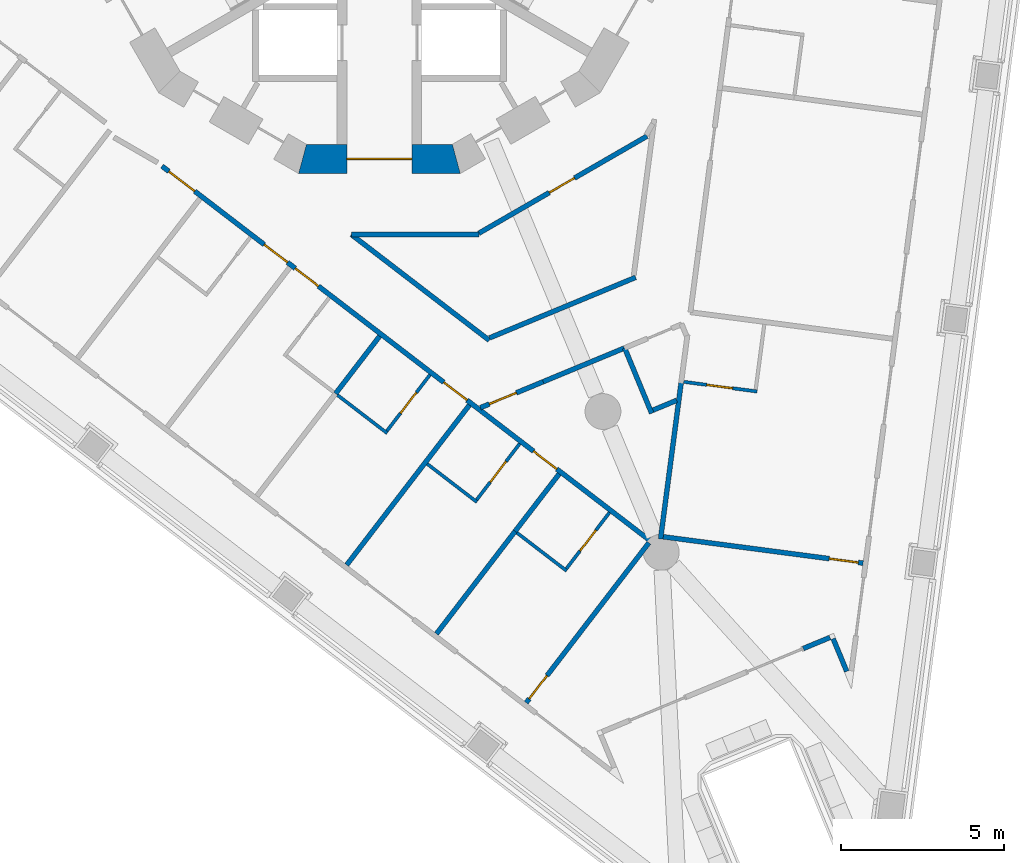
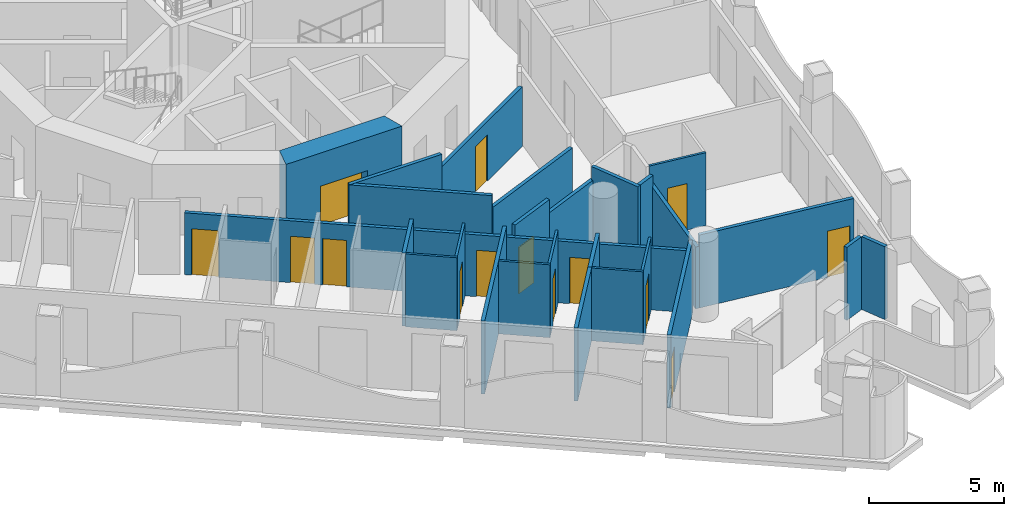
# One storey, part 4 of 18: 26 walls, 14 doors, 14 openings.
"""IFC4 building model written with IfcOpenShell, lengths in metres."""

from ifc_helpers import new_model, si_unit, direction, frame, frame_2d, origin, place, context, subcontext, project, spatial, polyline, rectangle, outline, extrude, material, layer, layer_set, type_object, element, fill, save


model = new_model("IFC4")

# Units and contexts
model_context = context("Model", 3, precision=1e-05, world=origin(), true_north=direction((0.0, 1.0)))
body_context = subcontext(model_context, "Body", "Model", "MODEL_VIEW")
ifc_project = project(units=[si_unit("LENGTHUNIT", "METRE"), si_unit("AREAUNIT", "SQUARE_METRE"), si_unit("VOLUMEUNIT", "CUBIC_METRE"), si_unit("PLANEANGLEUNIT", "RADIAN"), si_unit("MASSUNIT", "GRAM", prefix="KILO")], contexts=[model_context])

# Site, building, storey
site_placement = place(None, origin())
site = spatial("IfcSite", under=ifc_project, at=site_placement, CompositionType="ELEMENT")
building_placement = place(site_placement, origin())
building = spatial("IfcBuilding", under=site, at=building_placement, Name="Trine Commons Tower", CompositionType="ELEMENT")
storey_placement = place(building_placement, frame((0.0, 0.0, 145.800048828125)))
storey = spatial("IfcBuildingStorey", under=building, at=storey_placement, Name="L37", CompositionType="ELEMENT", Elevation=145.800048828125)

# Walls
ifc_material_1 = material(Name="Aluminium-framed insulated wall panel", Category="aluminium")
ifc_layer_1 = layer(ifc_material_1, 0.14990234375)
ifc_layer_set_1 = layer_set([ifc_layer_1], Name="Aluminium-framed insulated wall panel")
wall_type_1 = type_object("IfcWallType", Name="Glazed frame wall 150, EI 60", PredefinedType="SOLIDWALL", material=ifc_layer_set_1)
wall_1_placement = place(storey_placement, frame((94.42041015625, 37.78564453125, 0.0), z_axis=(0.0, 0.0, 1.0), x_axis=(-0.382629665579, 0.923901801611, 0.0)))
element("IfcWall", 1, at=wall_1_placement, inside=storey, type_object=wall_type_1, Name="Glazed frame wall R9", PredefinedType="SOLIDWALL", context=body_context, shape_type="SweptSolid", body=[
    extrude(outline(polyline([(0.1494140625, 0.074951171875), (0.1494140625, -0.074951171875), (1.235107421875, -0.074951171875), (1.235107421875, 0.074951171875), (0.1494140625, 0.074951171875)])), origin(), (0.0, 0.0, 1.0), 3.300048828125),
])
wall_2_placement = place(storey_placement, frame((93.951416015625, 39.009521484375, 0.0), z_axis=(0.0, 0.0, 1.0), x_axis=(-0.923826362943, -0.382811769845, 0.0)))
element("IfcWall", 2, at=wall_2_placement, inside=storey, type_object=wall_type_1, Name="Glazed frame wall P3.1", PredefinedType="SOLIDWALL", context=body_context, shape_type="SweptSolid", body=[
    extrude(outline(polyline([(0.110107421875, -0.074951171875), (1.0, -0.074951171875), (1.0, 0.074951171875), (0.110107421875, 0.074951171875), (0.110107421875, -0.074951171875)])), origin(), (0.0, 0.0, 1.0), 3.300048828125),
])

# Wall, opening, door
ifc_material_2 = material(Name="Concrete C70/85", Category="concrete")
ifc_layer_2 = layer(ifc_material_2, 0.89990234375)
ifc_layer_set_2 = layer_set([ifc_layer_2], Name="Concrete C70/85")
wall_type_2 = type_object("IfcWallType", Name="RC shear wall 900 mm, C70/85", PredefinedType="SHEAR", material=ifc_layer_set_2)
wall_3_placement = place(storey_placement, frame((77.515380859375, 53.677001953125, 0.0), z_axis=(0.0, 0.0, 1.0), x_axis=(1.0, 0.0, 0.0)))
wall_3 = element("IfcWall", 3, at=wall_3_placement, inside=storey, type_object=wall_type_2, Name="Core wall CWD-10 L37", PredefinedType="SHEAR", context=body_context, shape_type="SweptSolid", body=[
    extrude(outline(polyline([(0.0, -0.449951171875), (4.969482421875, -0.449951171875), (4.728271484375, 0.449951171875), (0.2412109375, 0.449951171875), (0.0, -0.449951171875)])), origin(), (0.0, 0.0, 1.0), 3.599853515625),
])
opening_1_placement = place(wall_3_placement, frame((1.484619140625, 0.0, 0.0)))
opening_1 = element("IfcOpeningElement", 4, at=opening_1_placement, cuts=wall_3, Name="Opening K12.08", PredefinedType="OPENING", context=body_context, shape_type="SweptSolid", body=[
    extrude(rectangle(XDim=2.0, YDim=2.10009765625, at=frame_2d((1.0, 1.050048828125))), frame((0.0, 0.4599609375, 0.0), z_axis=(0.0, -1.0, 0.0), x_axis=(1.0, 0.0, 0.0)), (0.0, 0.0, 1.0), 0.919921875),
])
ifc_material_3 = material(Name="Steel door leaves, fire-rated", Category="steel")
door_type_1 = type_object("IfcDoorType", Name="Lobby door, double leaf 2000 x 2100, FD60", OperationType="DOUBLE_DOOR_SINGLE_SWING", PredefinedType="DOOR", material=ifc_material_3)
door_1_placement = place(opening_1_placement, origin())
door_1 = element("IfcDoor", 5, at=door_1_placement, inside=storey, type_object=door_type_1, Name="Lobby door, Service and firefighting lobby L37", OperationType="DOUBLE_DOOR_SINGLE_SWING", OverallHeight=2.10009765625, OverallWidth=2.0, PredefinedType="DOOR", context=body_context, shape_type="SweptSolid", body=[
    extrude(rectangle(XDim=2.0, YDim=2.10009765625, at=frame_2d((1.0, 1.050048828125))), frame((0.0, 0.02490234375, 0.0), z_axis=(0.0, -1.0, 0.0), x_axis=(1.0, 0.0, 0.0)), (0.0, 0.0, 1.0), 0.050048828125),
])
fill(opening_1, door_1)

# Wall, openings, doors
ifc_material_4 = material(Name="Gypsum plasterboard on steel stud", Category="steel")
ifc_layer_3 = layer(ifc_material_4, 0.14990234375)
ifc_layer_set_3 = layer_set([ifc_layer_3], Name="Gypsum plasterboard on steel stud")
wall_type_3 = type_object("IfcWallType", Name="Unit and corridor wall 150 mm, EI 60", PredefinedType="PARTITIONING", material=ifc_layer_set_3)
wall_4_placement = place(storey_placement, frame((73.318115234375, 53.4541015625, 0.0), z_axis=(0.0, 0.0, 1.0), x_axis=(0.793337765411, -0.60878172605, 0.0)))
wall_4 = element("IfcWall", 6, at=wall_4_placement, inside=storey, type_object=wall_type_3, Name="Partition 055", PredefinedType="PARTITIONING", context=body_context, shape_type="SweptSolid", body=[
    extrude(rectangle(XDim=18.994873046875, YDim=0.14990234375, at=frame_2d((9.49755859375, 0.0))), origin(), (0.0, 0.0, 1.0), 2.800048828125),
])
opening_2_placement = place(wall_4_placement, frame((14.39306640625, 0.0, 0.0)))
opening_2 = element("IfcOpeningElement", 7, at=opening_2_placement, cuts=wall_4, Name="Opening D-4C23", PredefinedType="OPENING", context=body_context, shape_type="SweptSolid", body=[
    extrude(rectangle(XDim=0.89990234375, YDim=2.10009765625, at=frame_2d((0.449951171875, 1.050048828125))), frame((0.0, 0.0849609375, 0.0), z_axis=(0.0, -1.0, 0.0), x_axis=(1.0, 0.0, 0.0)), (0.0, 0.0, 1.0), 0.169921875),
])
opening_3_placement = place(wall_4_placement, frame((10.91552734375, 0.0, 0.0)))
opening_3 = element("IfcOpeningElement", 8, at=opening_3_placement, cuts=wall_4, Name="Opening D-4C24", PredefinedType="OPENING", context=body_context, shape_type="SweptSolid", body=[
    extrude(rectangle(XDim=0.89990234375, YDim=2.10009765625, at=frame_2d((0.449951171875, 1.050048828125))), frame((0.0, 0.0849609375, 0.0), z_axis=(0.0, -1.0, 0.0), x_axis=(1.0, 0.0, 0.0)), (0.0, 0.0, 1.0), 0.169921875),
])
opening_4_placement = place(wall_4_placement, frame((5.160400390625, 0.0, 0.0)))
opening_4 = element("IfcOpeningElement", 9, at=opening_4_placement, cuts=wall_4, Name="Opening D-4C25", PredefinedType="OPENING", context=body_context, shape_type="SweptSolid", body=[
    extrude(rectangle(XDim=0.89990234375, YDim=2.10009765625, at=frame_2d((0.449951171875, 1.050048828125))), frame((0.0, 0.0849609375, 0.0), z_axis=(0.0, -1.0, 0.0), x_axis=(1.0, 0.0, 0.0)), (0.0, 0.0, 1.0), 0.169921875),
])
opening_5_placement = place(wall_4_placement, frame((3.960205078125, 0.0, 0.0)))
opening_5 = element("IfcOpeningElement", 10, at=opening_5_placement, cuts=wall_4, Name="Opening D-4C26", PredefinedType="OPENING", context=body_context, shape_type="SweptSolid", body=[
    extrude(rectangle(XDim=0.89990234375, YDim=2.10009765625, at=frame_2d((0.449951171875, 1.050048828125))), frame((0.0, 0.0849609375, 0.0), z_axis=(0.0, -1.0, 0.0), x_axis=(1.0, 0.0, 0.0)), (0.0, 0.0, 1.0), 0.169921875),
])
opening_6_placement = place(wall_4_placement, frame((0.266357421875, 0.0, 0.0)))
opening_6 = element("IfcOpeningElement", 11, at=opening_6_placement, cuts=wall_4, Name="Opening D-4C27", PredefinedType="OPENING", context=body_context, shape_type="SweptSolid", body=[
    extrude(rectangle(XDim=1.0, YDim=2.10009765625, at=frame_2d((0.5, 1.050048828125))), frame((0.0, 0.0849609375, 0.0), z_axis=(0.0, -1.0, 0.0), x_axis=(1.0, 0.0, 0.0)), (0.0, 0.0, 1.0), 0.169921875),
])
ifc_material_5 = material(Name="Painted timber", Category="wood")
door_type_2 = type_object("IfcDoorType", Name="Amenity room door 1000 x 2100, NOT RATED", OperationType="NOTDEFINED", PredefinedType="DOOR", material=ifc_material_5)
door_2_placement = place(opening_6_placement, frame((1.0, 0.0, 0.0), z_axis=(0.0, 0.0, 1.0), x_axis=(-1.0, 0.0, 0.0)))
door_2 = element("IfcDoor", 12, at=door_2_placement, inside=storey, type_object=door_type_2, Name="Door D-4C27", OperationType="SINGLE_SWING_RIGHT", OverallHeight=2.10009765625, OverallWidth=1.0, PredefinedType="DOOR", context=body_context, shape_type="SweptSolid", body=[
    extrude(rectangle(XDim=1.0, YDim=2.10009765625, at=frame_2d((0.5, 1.050048828125))), frame((0.0, 0.02490234375, 0.0), z_axis=(0.0, -1.0, 0.0), x_axis=(1.0, 0.0, 0.0)), (0.0, 0.0, 1.0), 0.050048828125),
])
fill(opening_6, door_2)
ifc_material_6 = material(Name="Timber fire door set", Category="wood")
door_type_3 = type_object("IfcDoorType", Name="Bedroom door 900 x 2100, FD30S", OperationType="NOTDEFINED", PredefinedType="DOOR", material=ifc_material_6)
door_3_placement = place(opening_2_placement, frame((0.89990234375, 0.0, 0.0), z_axis=(0.0, 0.0, 1.0), x_axis=(-1.0, 0.0, 0.0)))
door_3 = element("IfcDoor", 13, at=door_3_placement, inside=storey, type_object=door_type_3, Name="Door D-4C23", OperationType="SINGLE_SWING_LEFT", OverallHeight=2.10009765625, OverallWidth=0.89990234375, PredefinedType="DOOR", context=body_context, shape_type="SweptSolid", body=[
    extrude(rectangle(XDim=0.89990234375, YDim=2.10009765625, at=frame_2d((0.449951171875, 1.050048828125))), frame((0.0, 0.02490234375, 0.0), z_axis=(0.0, -1.0, 0.0), x_axis=(1.0, 0.0, 0.0)), (0.0, 0.0, 1.0), 0.050048828125),
])
fill(opening_2, door_3)
door_4_placement = place(opening_3_placement, frame((0.89990234375, 0.0, 0.0), z_axis=(0.0, 0.0, 1.0), x_axis=(-1.0, 0.0, 0.0)))
door_4 = element("IfcDoor", 14, at=door_4_placement, inside=storey, type_object=door_type_3, Name="Door D-4C24", OperationType="SINGLE_SWING_LEFT", OverallHeight=2.10009765625, OverallWidth=0.89990234375, PredefinedType="DOOR", context=body_context, shape_type="SweptSolid", body=[
    extrude(rectangle(XDim=0.89990234375, YDim=2.10009765625, at=frame_2d((0.449951171875, 1.050048828125))), frame((0.0, 0.02490234375, 0.0), z_axis=(0.0, -1.0, 0.0), x_axis=(1.0, 0.0, 0.0)), (0.0, 0.0, 1.0), 0.050048828125),
])
fill(opening_3, door_4)
door_5_placement = place(opening_4_placement, frame((0.89990234375, 0.0, 0.0), z_axis=(0.0, 0.0, 1.0), x_axis=(-1.0, 0.0, 0.0)))
door_5 = element("IfcDoor", 15, at=door_5_placement, inside=storey, type_object=door_type_3, Name="Door D-4C25", OperationType="SINGLE_SWING_RIGHT", OverallHeight=2.10009765625, OverallWidth=0.89990234375, PredefinedType="DOOR", context=body_context, shape_type="SweptSolid", body=[
    extrude(rectangle(XDim=0.89990234375, YDim=2.10009765625, at=frame_2d((0.449951171875, 1.050048828125))), frame((0.0, 0.02490234375, 0.0), z_axis=(0.0, -1.0, 0.0), x_axis=(1.0, 0.0, 0.0)), (0.0, 0.0, 1.0), 0.050048828125),
])
fill(opening_4, door_5)
door_6_placement = place(opening_5_placement, frame((0.89990234375, 0.0, 0.0), z_axis=(0.0, 0.0, 1.0), x_axis=(-1.0, 0.0, 0.0)))
door_6 = element("IfcDoor", 16, at=door_6_placement, inside=storey, type_object=door_type_3, Name="Door D-4C26", OperationType="SINGLE_SWING_RIGHT", OverallHeight=2.10009765625, OverallWidth=0.89990234375, PredefinedType="DOOR", context=body_context, shape_type="SweptSolid", body=[
    extrude(rectangle(XDim=0.89990234375, YDim=2.10009765625, at=frame_2d((0.449951171875, 1.050048828125))), frame((0.0, 0.02490234375, 0.0), z_axis=(0.0, -1.0, 0.0), x_axis=(1.0, 0.0, 0.0)), (0.0, 0.0, 1.0), 0.050048828125),
])
fill(opening_5, door_6)

# Walls
wall_5_placement = place(storey_placement, frame((78.652099609375, 46.4619140625, 0.0), z_axis=(0.0, 0.0, 1.0), x_axis=(0.608601979206, 0.793475664975, 0.0)))
element("IfcWall", 17, at=wall_5_placement, inside=storey, type_object=wall_type_3, Name="Partition 067", PredefinedType="PARTITIONING", context=body_context, shape_type="SweptSolid", body=[
    extrude(rectangle(XDim=2.22509765625, YDim=0.14990234375, at=frame_2d((1.112548828125, 0.0))), origin(), (0.0, 0.0, 1.0), 3.300048828125),
])
wall_6_placement = place(storey_placement, frame((78.994384765625, 41.19677734375, 0.0), z_axis=(0.0, 0.0, 1.0), x_axis=(0.608811285709, 0.79331508141, 0.0)))
element("IfcWall", 18, at=wall_6_placement, inside=storey, type_object=wall_type_3, Name="Partition 069", PredefinedType="PARTITIONING", context=body_context, shape_type="SweptSolid", body=[
    extrude(rectangle(XDim=6.194091796875, YDim=0.14990234375, at=frame_2d((3.09716796875, 0.0))), origin(), (0.0, 0.0, 1.0), 3.300048828125),
])
wall_7_placement = place(storey_placement, frame((79.134033203125, 51.35205078125, 0.0), z_axis=(0.0, 0.0, 1.0), x_axis=(1.0, 0.0, 0.0)))
element("IfcWall", 19, at=wall_7_placement, inside=storey, type_object=wall_type_3, Name="Partition 070", PredefinedType="PARTITIONING", context=body_context, shape_type="SweptSolid", body=[
    extrude(rectangle(XDim=3.927978515625, YDim=0.14990234375, at=frame_2d((1.9638671875, 0.0))), origin(), (0.0, 0.0, 1.0), 3.300048828125),
])
wall_8_placement = place(storey_placement, frame((79.137939453125, 51.35205078125, 0.0), z_axis=(0.0, 0.0, 1.0), x_axis=(0.793274409151, -0.608864280268, 0.0)))
element("IfcWall", 20, at=wall_8_placement, inside=storey, type_object=wall_type_3, Name="Partition 071", PredefinedType="PARTITIONING", context=body_context, shape_type="SweptSolid", body=[
    extrude(rectangle(XDim=5.340576171875, YDim=0.14990234375, at=frame_2d((2.67041015625, 0.0))), origin(), (0.0, 0.0, 1.0), 3.300048828125),
])
wall_9_placement = place(storey_placement, frame((81.75341796875, 39.07958984375, 0.0), z_axis=(0.0, 0.0, 1.0), x_axis=(0.608586492439, 0.793487543204, 0.0)))
element("IfcWall", 21, at=wall_9_placement, inside=storey, type_object=wall_type_3, Name="Partition 079", PredefinedType="PARTITIONING", context=body_context, shape_type="SweptSolid", body=[
    extrude(rectangle(XDim=3.968994140625, YDim=0.14990234375, at=frame_2d((1.984375, 0.0))), origin(), (0.0, 0.0, 1.0), 3.300048828125),
])

# Wall, opening, door
wall_10_placement = place(storey_placement, frame((83.052001953125, 51.389404296875, 0.0), z_axis=(0.0, 0.0, 1.0), x_axis=(0.866039280689, 0.499975963725, 0.0)))
wall_10 = element("IfcWall", 22, at=wall_10_placement, inside=storey, type_object=wall_type_3, Name="Partition 083", PredefinedType="PARTITIONING", context=body_context, shape_type="SweptSolid", body=[
    extrude(rectangle(XDim=5.974365234375, YDim=0.14990234375, at=frame_2d((2.9873046875, 0.0))), origin(), (0.0, 0.0, 1.0), 2.699951171875),
])
opening_7_placement = place(wall_10_placement, frame((2.499755859375, 0.0, 0.0)))
opening_7 = element("IfcOpeningElement", 23, at=opening_7_placement, cuts=wall_10, Name="Opening D-4C33", PredefinedType="OPENING", context=body_context, shape_type="SweptSolid", body=[
    extrude(rectangle(XDim=0.89990234375, YDim=2.10009765625, at=frame_2d((0.449951171875, 1.050048828125))), frame((0.0, 0.0849609375, 0.0), z_axis=(0.0, -1.0, 0.0), x_axis=(1.0, 0.0, 0.0)), (0.0, 0.0, 1.0), 0.169921875),
])
door_type_4 = type_object("IfcDoorType", Name="Service door 900 x 2100, FD30S", OperationType="NOTDEFINED", PredefinedType="DOOR", material=ifc_material_6)
door_7_placement = place(opening_7_placement, frame((0.89990234375, 0.0, 0.0), z_axis=(0.0, 0.0, 1.0), x_axis=(-1.0, 0.0, 0.0)))
door_7 = element("IfcDoor", 24, at=door_7_placement, inside=storey, type_object=door_type_4, Name="Door D-4C33", OperationType="SINGLE_SWING_RIGHT", OverallHeight=2.10009765625, OverallWidth=0.89990234375, PredefinedType="DOOR", context=body_context, shape_type="SweptSolid", body=[
    extrude(rectangle(XDim=0.89990234375, YDim=2.10009765625, at=frame_2d((0.449951171875, 1.050048828125))), frame((0.0, 0.02490234375, 0.0), z_axis=(0.0, -1.0, 0.0), x_axis=(1.0, 0.0, 0.0)), (0.0, 0.0, 1.0), 0.050048828125),
])
fill(opening_7, door_7)

wall_11_placement = place(storey_placement, frame((83.102294921875, 46.02880859375, 0.0), z_axis=(0.0, 0.0, 1.0), x_axis=(0.923986937012, 0.382424031973, 0.0)))
wall_11 = element("IfcWall", 25, at=wall_11_placement, inside=storey, type_object=wall_type_3, Name="Partition 085", PredefinedType="PARTITIONING", context=body_context, shape_type="SweptSolid", body=[
    extrude(rectangle(XDim=2.089599609375, YDim=0.14990234375, at=frame_2d((1.044921875, 0.0))), origin(), (0.0, 0.0, 1.0), 3.300048828125),
])
opening_8_placement = place(wall_11_placement, frame((0.2978515625, 0.0, 0.0)))
opening_8 = element("IfcOpeningElement", 26, at=opening_8_placement, cuts=wall_11, Name="Opening D-4C02", PredefinedType="OPENING", context=body_context, shape_type="SweptSolid", body=[
    extrude(rectangle(XDim=0.89990234375, YDim=2.10009765625, at=frame_2d((0.449951171875, 1.050048828125))), frame((0.0, 0.0849609375, 0.0), z_axis=(0.0, -1.0, 0.0), x_axis=(1.0, 0.0, 0.0)), (0.0, 0.0, 1.0), 0.169921875),
])
door_type_5 = type_object("IfcDoorType", Name="Cluster entrance door 900 x 2100, FD30S", OperationType="NOTDEFINED", PredefinedType="DOOR", material=ifc_material_6)
door_8_placement = place(opening_8_placement, frame((0.89990234375, 0.0, 0.0), z_axis=(0.0, 0.0, 1.0), x_axis=(-1.0, 0.0, 0.0)))
door_8 = element("IfcDoor", 27, at=door_8_placement, inside=storey, type_object=door_type_5, Name="Door D-4C02", OperationType="SINGLE_SWING_RIGHT", OverallHeight=2.10009765625, OverallWidth=0.89990234375, PredefinedType="DOOR", context=body_context, shape_type="SweptSolid", body=[
    extrude(rectangle(XDim=0.89990234375, YDim=2.10009765625, at=frame_2d((0.449951171875, 1.050048828125))), frame((0.0, 0.02490234375, 0.0), z_axis=(0.0, -1.0, 0.0), x_axis=(1.0, 0.0, 0.0)), (0.0, 0.0, 1.0), 0.050048828125),
])
fill(opening_8, door_8)

# Walls
wall_12_placement = place(storey_placement, frame((83.38427734375, 48.1748046875, 0.0), z_axis=(0.0, 0.0, 1.0), x_axis=(0.923876009177, 0.382691938335, 0.0)))
element("IfcWall", 28, at=wall_12_placement, inside=storey, type_object=wall_type_3, Name="Partition 086", PredefinedType="PARTITIONING", context=body_context, shape_type="SweptSolid", body=[
    extrude(rectangle(XDim=4.85986328125, YDim=0.14990234375, at=frame_2d((2.429931640625, 0.0))), origin(), (0.0, 0.0, 1.0), 2.699951171875),
])
wall_13_placement = place(storey_placement, frame((84.1689453125, 42.22900390625, 0.0), z_axis=(0.0, 0.0, 1.0), x_axis=(0.609212171412, 0.793007269956, 0.0)))
element("IfcWall", 29, at=wall_13_placement, inside=storey, type_object=wall_type_3, Name="Partition 088", PredefinedType="PARTITIONING", context=body_context, shape_type="SweptSolid", body=[
    extrude(rectangle(XDim=2.224853515625, YDim=0.14990234375, at=frame_2d((1.1123046875, 0.0))), origin(), (0.0, 0.0, 1.0), 3.300048828125),
])

# Wall, opening, door
wall_14_placement = place(storey_placement, frame((84.51220703125, 36.962646484375, 0.0), z_axis=(0.0, 0.0, 1.0), x_axis=(0.608712047114, 0.79339122991, 0.0)))
wall_14 = element("IfcWall", 30, at=wall_14_placement, inside=storey, type_object=wall_type_3, Name="Partition 090", PredefinedType="PARTITIONING", context=body_context, shape_type="SweptSolid", body=[
    extrude(rectangle(XDim=6.193359375, YDim=0.14990234375, at=frame_2d((3.0966796875, 0.0))), origin(), (0.0, 0.0, 1.0), 3.300048828125),
])
opening_9_placement = place(wall_14_placement, frame((0.14990234375, 0.0, 0.0)))
opening_9 = element("IfcOpeningElement", 31, at=opening_9_placement, cuts=wall_14, Name="Opening D-4C22", PredefinedType="OPENING", context=body_context, shape_type="SweptSolid", body=[
    extrude(rectangle(XDim=0.89990234375, YDim=2.10009765625, at=frame_2d((0.449951171875, 1.050048828125))), frame((0.0, 0.0849609375, 0.0), z_axis=(0.0, -1.0, 0.0), x_axis=(1.0, 0.0, 0.0)), (0.0, 0.0, 1.0), 0.169921875),
])
door_9_placement = place(opening_9_placement, origin())
door_9 = element("IfcDoor", 32, at=door_9_placement, inside=storey, type_object=door_type_3, Name="Door D-4C22", OperationType="SINGLE_SWING_LEFT", OverallHeight=2.10009765625, OverallWidth=0.89990234375, PredefinedType="DOOR", context=body_context, shape_type="SweptSolid", body=[
    extrude(rectangle(XDim=0.89990234375, YDim=2.10009765625, at=frame_2d((0.449951171875, 1.050048828125))), frame((0.0, 0.02490234375, 0.0), z_axis=(0.0, -1.0, 0.0), x_axis=(1.0, 0.0, 0.0)), (0.0, 0.0, 1.0), 0.050048828125),
])
fill(opening_9, door_9)

# Walls
wall_15_placement = place(storey_placement, frame((85.032958984375, 46.827880859375, 0.0), z_axis=(0.0, 0.0, 1.0), x_axis=(0.923769467477, 0.382949044857, 0.0)))
element("IfcWall", 33, at=wall_15_placement, inside=storey, type_object=wall_type_3, Name="Partition 092", PredefinedType="PARTITIONING", context=body_context, shape_type="SweptSolid", body=[
    extrude(rectangle(XDim=2.695556640625, YDim=0.14990234375, at=frame_2d((1.34765625, 0.0))), origin(), (0.0, 0.0, 1.0), 2.699951171875),
])
wall_16_placement = place(storey_placement, frame((87.537109375, 47.864990234375, 0.0), z_axis=(0.0, 0.0, 1.0), x_axis=(0.382398068784, -0.923997682351, 0.0)))
element("IfcWall", 34, at=wall_16_placement, inside=storey, type_object=wall_type_3, Name="Partition 099", PredefinedType="PARTITIONING", context=body_context, shape_type="SweptSolid", body=[
    extrude(rectangle(XDim=2.174560546875, YDim=0.14990234375, at=frame_2d((1.08740234375, 0.0))), origin(), (0.0, 0.0, 1.0), 3.300048828125),
])
wall_17_placement = place(storey_placement, frame((88.4091796875, 45.95361328125, 0.0), z_axis=(0.0, 0.0, 1.0), x_axis=(0.92369931044, 0.383118237484, 0.0)))
element("IfcWall", 35, at=wall_17_placement, inside=storey, type_object=wall_type_3, Name="Partition 105", PredefinedType="PARTITIONING", context=body_context, shape_type="SweptSolid", body=[
    extrude(rectangle(XDim=0.78759765625, YDim=0.14990234375, at=frame_2d((0.393798828125, 0.0))), origin(), (0.0, 0.0, 1.0), 3.300048828125),
])
wall_18_placement = place(storey_placement, frame((88.64111328125, 41.99560546875, 0.0), z_axis=(0.0, 0.0, 1.0), x_axis=(0.130614848927, 0.991433185464, 0.0)))
element("IfcWall", 36, at=wall_18_placement, inside=storey, type_object=wall_type_3, Name="Partition 106", PredefinedType="PARTITIONING", context=body_context, shape_type="SweptSolid", body=[
    extrude(rectangle(XDim=4.884033203125, YDim=0.14990234375, at=frame_2d((2.44189453125, 0.0))), origin(), (0.0, 0.0, 1.0), 2.800048828125),
])

# Wall, opening, door
wall_19_placement = place(storey_placement, frame((88.725341796875, 42.060302734375, 0.0), z_axis=(0.0, 0.0, 1.0), x_axis=(0.991454966236, -0.130449415202, 0.0)))
wall_19 = element("IfcWall", 37, at=wall_19_placement, inside=storey, type_object=wall_type_3, Name="Partition 107", PredefinedType="PARTITIONING", context=body_context, shape_type="SweptSolid", body=[
    extrude(rectangle(XDim=6.19482421875, YDim=0.14990234375, at=frame_2d((3.097412109375, 0.0))), origin(), (0.0, 0.0, 1.0), 3.300048828125),
])
opening_10_placement = place(wall_19_placement, frame((5.14501953125, 0.0, 0.0)))
opening_10 = element("IfcOpeningElement", 38, at=opening_10_placement, cuts=wall_19, Name="Opening D-4C21", PredefinedType="OPENING", context=body_context, shape_type="SweptSolid", body=[
    extrude(rectangle(XDim=0.89990234375, YDim=2.10009765625, at=frame_2d((0.449951171875, 1.050048828125))), frame((0.0, 0.0849609375, 0.0), z_axis=(0.0, -1.0, 0.0), x_axis=(1.0, 0.0, 0.0)), (0.0, 0.0, 1.0), 0.169921875),
])
door_10_placement = place(opening_10_placement, origin())
door_10 = element("IfcDoor", 39, at=door_10_placement, inside=storey, type_object=door_type_3, Name="Door D-4C21", OperationType="SINGLE_SWING_RIGHT", OverallHeight=2.10009765625, OverallWidth=0.89990234375, PredefinedType="DOOR", context=body_context, shape_type="SweptSolid", body=[
    extrude(rectangle(XDim=0.89990234375, YDim=2.10009765625, at=frame_2d((0.449951171875, 1.050048828125))), frame((0.0, 0.02490234375, 0.0), z_axis=(0.0, -1.0, 0.0), x_axis=(1.0, 0.0, 0.0)), (0.0, 0.0, 1.0), 0.050048828125),
])
fill(opening_10, door_10)

# Wall
ifc_layer_4 = layer(ifc_material_4, 0.10009765625)
ifc_layer_set_4 = layer_set([ifc_layer_4], Name="Gypsum plasterboard on steel stud")
wall_type_4 = type_object("IfcWallType", Name="Unit partition 100 mm, no rating", PredefinedType="PARTITIONING", material=ifc_layer_set_4)
wall_20_placement = place(storey_placement, frame((78.71142578125, 46.416259765625, 0.0), z_axis=(0.0, 0.0, 1.0), x_axis=(0.793438942522, -0.608649853766, 0.0)))
element("IfcWall", 40, at=wall_20_placement, inside=storey, type_object=wall_type_4, Name="Partition 068", PredefinedType="PARTITIONING", context=body_context, shape_type="SweptSolid", body=[
    extrude(rectangle(XDim=1.925048828125, YDim=0.10009765625, at=frame_2d((0.96240234375, 0.0))), origin(), (0.0, 0.0, 1.0), 3.300048828125),
])

# Wall, opening, door
wall_21_placement = place(storey_placement, frame((80.2294921875, 45.314697265625, 0.0), z_axis=(0.0, 0.0, 1.0), x_axis=(0.608674216197, 0.79342025342, 0.0)))
wall_21 = element("IfcWall", 41, at=wall_21_placement, inside=storey, type_object=wall_type_4, Name="Partition 074", PredefinedType="PARTITIONING", context=body_context, shape_type="SweptSolid", body=[
    extrude(rectangle(XDim=2.17529296875, YDim=0.10009765625, at=frame_2d((1.087646484375, 0.0))), origin(), (0.0, 0.0, 1.0), 3.300048828125),
])
opening_11_placement = place(wall_21_placement, frame((0.6875, 0.0, 0.0)))
opening_11 = element("IfcOpeningElement", 42, at=opening_11_placement, cuts=wall_21, Name="Opening D-4C55", PredefinedType="OPENING", context=body_context, shape_type="SweptSolid", body=[
    extrude(rectangle(XDim=0.800048828125, YDim=2.10009765625, at=frame_2d((0.39990234375, 1.050048828125))), frame((0.0, 0.06005859375, 0.0), z_axis=(0.0, -1.0, 0.0), x_axis=(1.0, 0.0, 0.0)), (0.0, 0.0, 1.0), 0.1201171875),
])
door_type_6 = type_object("IfcDoorType", Name="Internal door 800 x 2100, NOT RATED", OperationType="NOTDEFINED", PredefinedType="DOOR", material=ifc_material_5)
door_11_placement = place(opening_11_placement, frame((0.800048828125, 0.0, 0.0), z_axis=(0.0, 0.0, 1.0), x_axis=(-1.0, 0.0, 0.0)))
door_11 = element("IfcDoor", 43, at=door_11_placement, inside=storey, type_object=door_type_6, Name="Door D-4C55", OperationType="SINGLE_SWING_LEFT", OverallHeight=2.10009765625, OverallWidth=0.800048828125, PredefinedType="DOOR", context=body_context, shape_type="SweptSolid", body=[
    extrude(rectangle(XDim=0.800048828125, YDim=2.10009765625, at=frame_2d((0.39990234375, 1.050048828125))), frame((0.0, 0.02490234375, 0.0), z_axis=(0.0, -1.0, 0.0), x_axis=(1.0, 0.0, 0.0)), (0.0, 0.0, 1.0), 0.050048828125),
])
fill(opening_11, door_11)

# Wall
wall_22_placement = place(storey_placement, frame((81.470458984375, 44.30029296875, 0.0), z_axis=(0.0, 0.0, 1.0), x_axis=(0.793132716202, -0.609048844092, 0.0)))
element("IfcWall", 44, at=wall_22_placement, inside=storey, type_object=wall_type_4, Name="Partition 078", PredefinedType="PARTITIONING", context=body_context, shape_type="SweptSolid", body=[
    extrude(rectangle(XDim=1.92578125, YDim=0.10009765625, at=frame_2d((0.962890625, 0.0))), origin(), (0.0, 0.0, 1.0), 3.300048828125),
])

# Wall, opening, door
wall_23_placement = place(storey_placement, frame((82.98828125, 43.19775390625, 0.0), z_axis=(0.0, 0.0, 1.0), x_axis=(0.608744865415, 0.793366049709, 0.0)))
wall_23 = element("IfcWall", 45, at=wall_23_placement, inside=storey, type_object=wall_type_4, Name="Partition 082", PredefinedType="PARTITIONING", context=body_context, shape_type="SweptSolid", body=[
    extrude(rectangle(XDim=2.17529296875, YDim=0.10009765625, at=frame_2d((1.087646484375, 0.0))), origin(), (0.0, 0.0, 1.0), 3.300048828125),
])
opening_12_placement = place(wall_23_placement, frame((0.6875, 0.0, 0.0)))
opening_12 = element("IfcOpeningElement", 46, at=opening_12_placement, cuts=wall_23, Name="Opening D-4C54", PredefinedType="OPENING", context=body_context, shape_type="SweptSolid", body=[
    extrude(rectangle(XDim=0.800048828125, YDim=2.10009765625, at=frame_2d((0.39990234375, 1.050048828125))), frame((0.0, 0.06005859375, 0.0), z_axis=(0.0, -1.0, 0.0), x_axis=(1.0, 0.0, 0.0)), (0.0, 0.0, 1.0), 0.1201171875),
])
door_12_placement = place(opening_12_placement, frame((0.800048828125, 0.0, 0.0), z_axis=(0.0, 0.0, 1.0), x_axis=(-1.0, 0.0, 0.0)))
door_12 = element("IfcDoor", 47, at=door_12_placement, inside=storey, type_object=door_type_6, Name="Door D-4C54", OperationType="SINGLE_SWING_LEFT", OverallHeight=2.10009765625, OverallWidth=0.800048828125, PredefinedType="DOOR", context=body_context, shape_type="SweptSolid", body=[
    extrude(rectangle(XDim=0.800048828125, YDim=2.10009765625, at=frame_2d((0.39990234375, 1.050048828125))), frame((0.0, 0.02490234375, 0.0), z_axis=(0.0, -1.0, 0.0), x_axis=(1.0, 0.0, 0.0)), (0.0, 0.0, 1.0), 0.050048828125),
])
fill(opening_12, door_12)

# Wall
wall_24_placement = place(storey_placement, frame((84.228515625, 42.183349609375, 0.0), z_axis=(0.0, 0.0, 1.0), x_axis=(0.793391951231, -0.608711106948, 0.0)))
element("IfcWall", 48, at=wall_24_placement, inside=storey, type_object=wall_type_4, Name="Partition 089", PredefinedType="PARTITIONING", context=body_context, shape_type="SweptSolid", body=[
    extrude(rectangle(XDim=1.9248046875, YDim=0.10009765625, at=frame_2d((0.96240234375, 0.0))), origin(), (0.0, 0.0, 1.0), 3.300048828125),
])

# Wall, opening, door
wall_25_placement = place(storey_placement, frame((85.74658203125, 41.081787109375, 0.0), z_axis=(0.0, 0.0, 1.0), x_axis=(0.60915721009, 0.793049489878, 0.0)))
wall_25 = element("IfcWall", 49, at=wall_25_placement, inside=storey, type_object=wall_type_4, Name="Partition 093", PredefinedType="PARTITIONING", context=body_context, shape_type="SweptSolid", body=[
    extrude(rectangle(XDim=2.174560546875, YDim=0.10009765625, at=frame_2d((1.08740234375, 0.0))), origin(), (0.0, 0.0, 1.0), 3.300048828125),
])
opening_13_placement = place(wall_25_placement, frame((0.6875, 0.0, 0.0)))
opening_13 = element("IfcOpeningElement", 50, at=opening_13_placement, cuts=wall_25, Name="Opening D-4C53", PredefinedType="OPENING", context=body_context, shape_type="SweptSolid", body=[
    extrude(rectangle(XDim=0.800048828125, YDim=2.10009765625, at=frame_2d((0.39990234375, 1.050048828125))), frame((0.0, 0.06005859375, 0.0), z_axis=(0.0, -1.0, 0.0), x_axis=(1.0, 0.0, 0.0)), (0.0, 0.0, 1.0), 0.1201171875),
])
door_13_placement = place(opening_13_placement, frame((0.800048828125, 0.0, 0.0), z_axis=(0.0, 0.0, 1.0), x_axis=(-1.0, 0.0, 0.0)))
door_13 = element("IfcDoor", 51, at=door_13_placement, inside=storey, type_object=door_type_6, Name="Door D-4C53", OperationType="SINGLE_SWING_LEFT", OverallHeight=2.10009765625, OverallWidth=0.800048828125, PredefinedType="DOOR", context=body_context, shape_type="SweptSolid", body=[
    extrude(rectangle(XDim=0.800048828125, YDim=2.10009765625, at=frame_2d((0.39990234375, 1.050048828125))), frame((0.0, 0.02490234375, 0.0), z_axis=(0.0, -1.0, 0.0), x_axis=(1.0, 0.0, 0.0)), (0.0, 0.0, 1.0), 0.050048828125),
])
fill(opening_13, door_13)

wall_26_placement = place(storey_placement, frame((89.353515625, 46.82421875, 0.0), z_axis=(0.0, 0.0, 1.0), x_axis=(0.991459774706, -0.130412864162, 0.0)))
wall_26 = element("IfcWall", 52, at=wall_26_placement, inside=storey, type_object=wall_type_4, Name="Partition 110", PredefinedType="PARTITIONING", context=body_context, shape_type="SweptSolid", body=[
    extrude(rectangle(XDim=2.274658203125, YDim=0.10009765625, at=frame_2d((1.13720703125, 0.0))), origin(), (0.0, 0.0, 1.0), 3.300048828125),
])
opening_14_placement = place(wall_26_placement, frame((0.71240234375, 0.0, 0.0)))
opening_14 = element("IfcOpeningElement", 53, at=opening_14_placement, cuts=wall_26, Name="Opening D-4C52", PredefinedType="OPENING", context=body_context, shape_type="SweptSolid", body=[
    extrude(rectangle(XDim=0.800048828125, YDim=2.10009765625, at=frame_2d((0.39990234375, 1.050048828125))), frame((0.0, 0.06005859375, 0.0), z_axis=(0.0, -1.0, 0.0), x_axis=(1.0, 0.0, 0.0)), (0.0, 0.0, 1.0), 0.1201171875),
])
door_14_placement = place(opening_14_placement, frame((0.800048828125, 0.0, 0.0), z_axis=(0.0, 0.0, 1.0), x_axis=(-1.0, 0.0, 0.0)))
door_14 = element("IfcDoor", 54, at=door_14_placement, inside=storey, type_object=door_type_6, Name="Door D-4C52", OperationType="SINGLE_SWING_RIGHT", OverallHeight=2.10009765625, OverallWidth=0.800048828125, PredefinedType="DOOR", context=body_context, shape_type="SweptSolid", body=[
    extrude(rectangle(XDim=0.800048828125, YDim=2.10009765625, at=frame_2d((0.39990234375, 1.050048828125))), frame((0.0, 0.02490234375, 0.0), z_axis=(0.0, -1.0, 0.0), x_axis=(1.0, 0.0, 0.0)), (0.0, 0.0, 1.0), 0.050048828125),
])
fill(opening_14, door_14)

save(model, "model.ifc")
